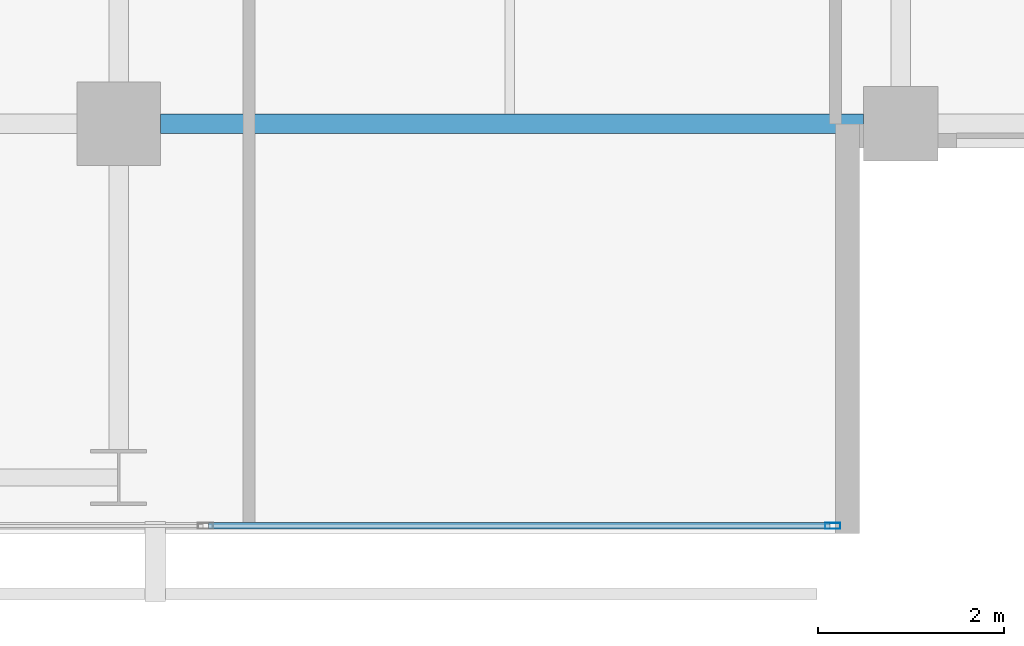
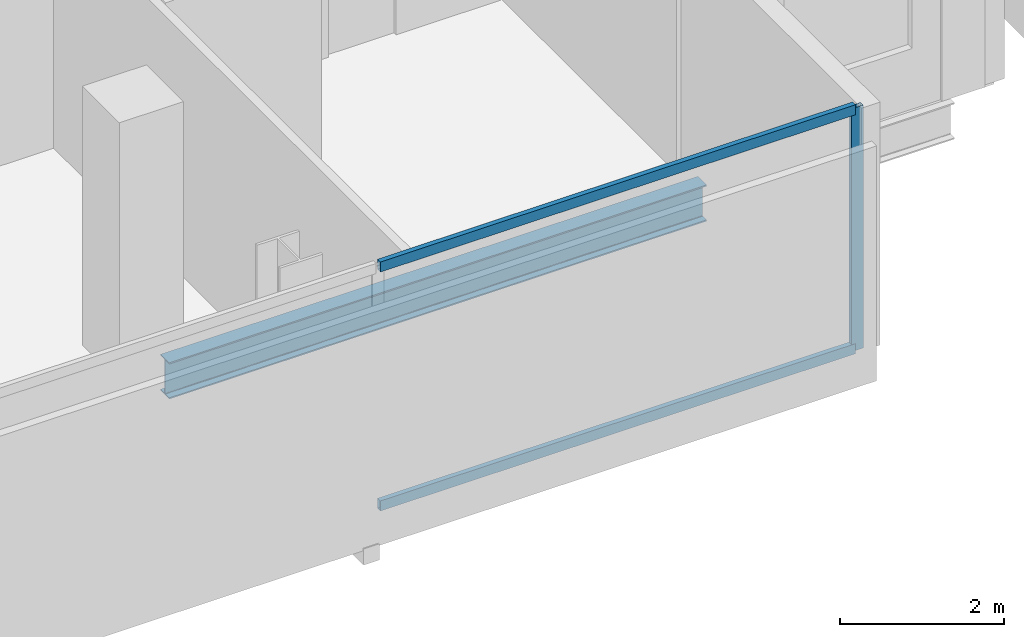
# One storey, part 13 of 33: 3 members, 1 beam, 1 element without a shape of its own.
"""IFC4 building model written with IfcOpenShell, lengths in metres."""

from ifc_helpers import new_model, si_unit, direction, frame, origin, origin_2d, place, context, subcontext, project, spatial, hollow_rectangle, i_section, extrude, material, layer, layer_set, material_profile, profile_set, type_object, element, aggregate, save


model = new_model("IFC4")

# Units and contexts
model_context = context("Model", 3, precision=1e-05, world=origin(), true_north=direction((0.0, 1.0)))
body_context = subcontext(model_context, "Body", "Model", "MODEL_VIEW")
ifc_project = project(units=[si_unit("LENGTHUNIT", "METRE"), si_unit("AREAUNIT", "SQUARE_METRE"), si_unit("VOLUMEUNIT", "CUBIC_METRE"), si_unit("PLANEANGLEUNIT", "RADIAN"), si_unit("MASSUNIT", "GRAM", prefix="KILO")], contexts=[model_context])

# Site, building, storey
site_placement = place(None, origin())
site = spatial("IfcSite", under=ifc_project, at=site_placement, CompositionType="ELEMENT")
building_placement = place(site_placement, origin())
building = spatial("IfcBuilding", under=site, at=building_placement, Name="Maruvema Waterfront Hotel and Observation Tower", CompositionType="ELEMENT")
storey_placement = place(building_placement, frame((0.0, 0.0, 196.699951171875)))
storey = spatial("IfcBuildingStorey", under=building, at=storey_placement, Name="L48", CompositionType="ELEMENT", Elevation=196.699951171875)

# Curtain wall, members
ifc_material_1 = material(Name="Anodised bronze aluminium and solar-control low-E IGU", Category="aluminium")
ifc_layer = layer(ifc_material_1, 0.159912109375, Name="Zone 2 Amber Inner Thermal Curtain Wall System CW-03")
ifc_layer_set = layer_set([ifc_layer], Name="Anodised bronze aluminium and solar-control low-E IGU")
curtain_wall_type = type_object("IfcCurtainWallType", Name="Zone 2 Amber Inner Thermal Curtain Wall System CW-03", PredefinedType="USERDEFINED", material=ifc_layer_set)
curtain_wall_placement = place(storey_placement, origin())
curtain_wall = element("IfcCurtainWall", 1, at=curtain_wall_placement, inside=storey, type_object=curtain_wall_type, Name="L48 Curtain Wall CW-L48-S", ObjectType="UNITISED CURTAIN WALL", PredefinedType="USERDEFINED")
ifc_material_2 = material(Name="Anodised architectural bronze aluminium", Category="aluminium")
ifc_material_profile_1 = material_profile(ifc_material_2, hollow_rectangle(XDim=0.070068359375, YDim=0.14990234375, WallThickness=0.00390625, at=origin_2d()), Name="ALU-T70x150")
ifc_profile_set_1 = profile_set([ifc_material_profile_1], Name="Anodised architectural bronze aluminium")
member_type_1 = type_object("IfcMemberType", Name="Curtain Wall Horizontal Transom ALU-T70x150", PredefinedType="USERDEFINED", material=ifc_profile_set_1)
member_1_placement = place(storey_placement, frame((51.36328125, 4.679931640625, 0.030029296875), z_axis=(1.0, 0.0, 0.0), x_axis=(0.0, 1.0, 0.0)))
member_1 = element("IfcMember", 2, at=member_1_placement, type_object=member_type_1, Name="CW-03 transom 6.1", ObjectType="TRANSOM", PredefinedType="USERDEFINED", context=body_context, shape_type="SweptSolid", body=[
    extrude(hollow_rectangle(XDim=0.070068359375, YDim=0.14990234375, WallThickness=0.00390625, at=origin_2d()), origin(), (0.0, 0.0, 1.0), 6.6767578125),
])
member_2_placement = place(storey_placement, frame((51.36328125, 4.679931640625, 3.580078125), z_axis=(1.0, 0.0, 0.0), x_axis=(0.0, 1.0, 0.0)))
member_2 = element("IfcMember", 3, at=member_2_placement, type_object=member_type_1, Name="CW-03 transom 6.2", ObjectType="TRANSOM", PredefinedType="USERDEFINED", context=body_context, shape_type="SweptSolid", body=[
    extrude(hollow_rectangle(XDim=0.070068359375, YDim=0.14990234375, WallThickness=0.00390625, at=origin_2d()), origin(), (0.0, 0.0, 1.0), 6.6767578125),
])
ifc_material_3 = material(Name="Anodised architectural bronze aluminium", Category="aluminium")
ifc_material_profile_2 = material_profile(ifc_material_3, hollow_rectangle(XDim=0.06494140625, YDim=0.1650390625, WallThickness=0.00390625, at=origin_2d()), Name="ALU-M65x165")
ifc_profile_set_2 = profile_set([ifc_material_profile_2], Name="Anodised architectural bronze aluminium")
member_type_2 = type_object("IfcMemberType", Name="Curtain Wall Primary Mullion ALU-M65x165", PredefinedType="MULLION", material=ifc_profile_set_2)
member_3_placement = place(storey_placement, frame((58.070068359375, 4.679931640625, 0.0), z_axis=(0.0, 0.0, 1.0), x_axis=(0.0, 1.0, 0.0)))
member_3 = element("IfcMember", 4, at=member_3_placement, type_object=member_type_2, Name="CW-03 mullion 7", PredefinedType="MULLION", context=body_context, shape_type="SweptSolid", body=[
    extrude(hollow_rectangle(XDim=0.06494140625, YDim=0.1650390625, WallThickness=0.00390625, at=origin_2d()), origin(), (0.0, 0.0, 1.0), 3.610107421875),
])
aggregate(curtain_wall, [member_3, member_1, member_2])

# Beam
ifc_material_4 = material(Name="Steel ASTM A572 Grade 50", Category="steel")
ifc_material_profile_3 = material_profile(ifc_material_4, i_section(OverallWidth=0.2109375, OverallDepth=0.5390625, WebThickness=0.01171875, FlangeThickness=0.018798828125, FilletRadius=0.014892578125, at=origin_2d()), Name="W530x109.0")
ifc_profile_set_3 = profile_set([ifc_material_profile_3], Name="Steel ASTM A572 Grade 50")
beam_type = type_object("IfcBeamType", Name="Primary Floor Girder W530x109.0", PredefinedType="BEAM", material=ifc_profile_set_3)
beam_placement = place(storey_placement, frame((50.85009765625, 9.0, -0.509521484375), z_axis=(1.0, 0.0, 0.0), x_axis=(0.0, 1.0, 0.0)))
element("IfcBeam", 5, at=beam_placement, inside=storey, type_object=beam_type, Name="L48 Floor Girder EW-09", PredefinedType="BEAM", context=body_context, shape_type="SweptSolid", body=[
    extrude(i_section(OverallWidth=0.2109375, OverallDepth=0.5390625, WebThickness=0.01171875, FlangeThickness=0.018798828125, FilletRadius=0.014892578125, at=origin_2d()), origin(), (0.0, 0.0, 1.0), 7.5498046875),
])

save(model, "model.ifc")
